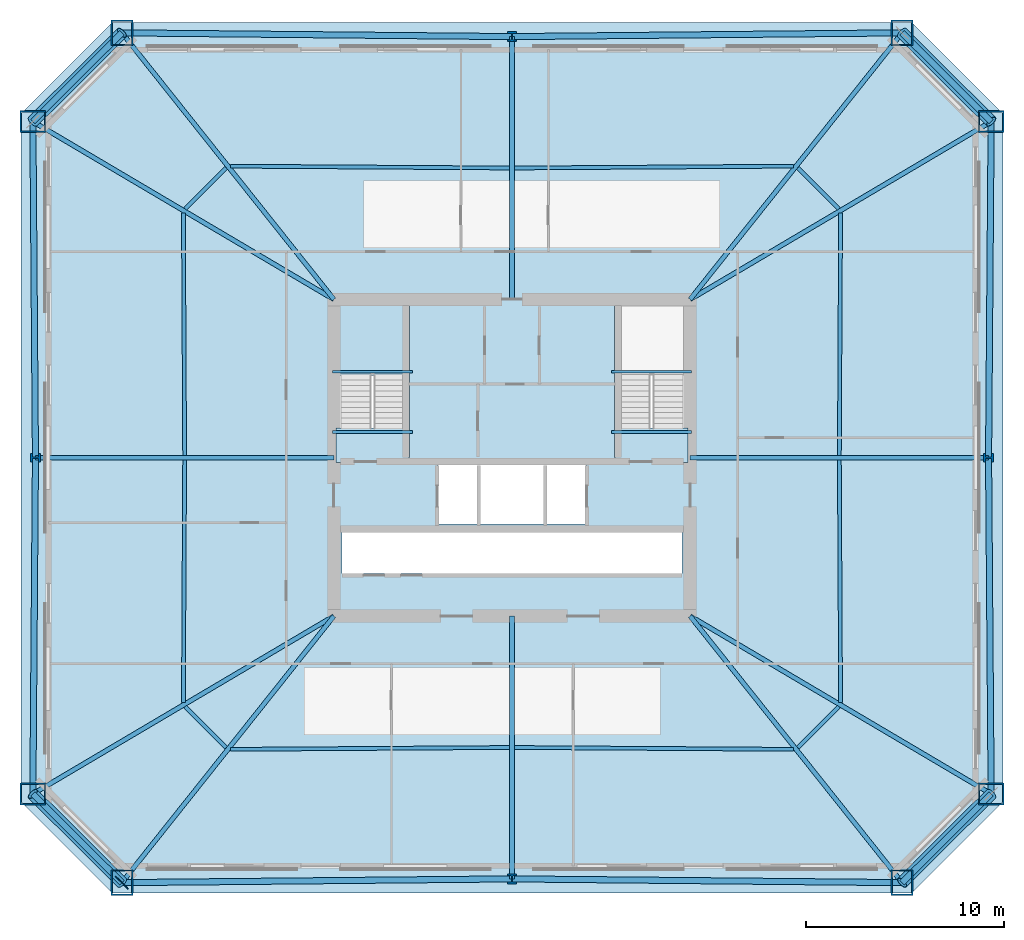
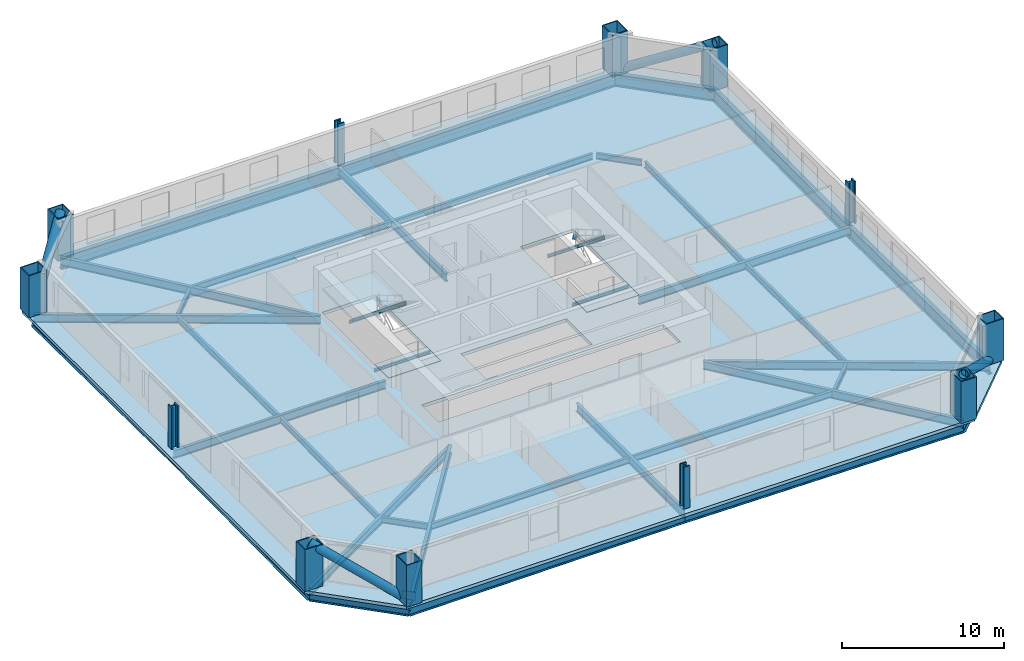
# One storey, part 1 of 7: 40 beams, 12 columns, 4 members, 4 slabs, 1 plate, 2 elements without a shape of their own.
"""IFC4 building model written with IfcOpenShell, lengths in metres."""

from ifc_helpers import new_model, si_unit, direction, frame, origin, origin_2d, place, context, subcontext, project, spatial, polyline, rectangle, hollow_rectangle, hollow_circle, i_section, outline, extrude, material, layer, layer_set, material_profile, profile_set, type_object, element, aggregate, save


model = new_model("IFC4")

# Units and contexts
model_context = context("Model", 3, precision=1e-05, world=origin(), true_north=direction((0.0, 1.0)))
body_context = subcontext(model_context, "Body", "Model", "MODEL_VIEW")
ifc_project = project(units=[si_unit("LENGTHUNIT", "METRE"), si_unit("AREAUNIT", "SQUARE_METRE"), si_unit("VOLUMEUNIT", "CUBIC_METRE"), si_unit("PLANEANGLEUNIT", "RADIAN"), si_unit("MASSUNIT", "GRAM", prefix="KILO")], contexts=[model_context])

# Site, building, storey
site_placement = place(None, origin())
site = spatial("IfcSite", under=ifc_project, at=site_placement, CompositionType="ELEMENT")
building_placement = place(site_placement, origin())
building = spatial("IfcBuilding", under=site, at=building_placement, Name="Caelvoria Tower", CompositionType="ELEMENT")
storey_placement = place(building_placement, frame((0.0, 0.0, 31.60009765625)))
storey = spatial("IfcBuildingStorey", under=building, at=storey_placement, Name="L07", CompositionType="ELEMENT", Elevation=31.60009765625)

# Columns
ifc_material_1 = material(Name="Structural Steel ASTM A913 Gr.65", Category="steel")
ifc_material_profile_1 = material_profile(ifc_material_1, i_section(OverallWidth=0.43896484375, OverallDepth=0.513916015625, WebThickness=0.059814453125, FlangeThickness=0.096923828125, FilletRadius=0.02490234375, at=origin_2d()), Name="Structural Steel ASTM A913 Gr.65")
ifc_profile_set_1 = profile_set([ifc_material_profile_1], Name="W360X818 - Structural Steel ASTM A913 Gr.65")
column_type_1 = type_object("IfcColumnType", Name="Heavy Frame Column W360X818", PredefinedType="COLUMN", material=ifc_profile_set_1)
for number, where, z_axis, x_axis, name in (
    (1, (46.0, 10.719970703125, 0.0), (0.0, 0.0, 1.0), (1.0, 0.0, 0.0), "Perimeter Megaframe Column L07-P01"),
    (2, (70.080078125, 32.0, 0.0), (0.0, 0.0, 1.0), (0.0, 1.0, 0.0), "Perimeter Megaframe Column L07-P04"),
    (3, (46.0, 53.280029296875, 0.0), (0.0, 0.0, 1.0), (1.0, 0.0, 0.0), "Perimeter Megaframe Column L07-P07"),
    (4, (21.919921875, 32.0, 0.0), (0.0, 0.0, 1.0), (0.0, 1.0, 0.0), "Perimeter Megaframe Column L07-P10"),
):
    element("IfcColumn", number, at=place(storey_placement, frame(where, z_axis=z_axis, x_axis=x_axis)), inside=storey, type_object=column_type_1, Name=name, PredefinedType="COLUMN", context=body_context, shape_type="SweptSolid", body=[
        extrude(i_section(OverallWidth=0.43896484375, OverallDepth=0.513916015625, WebThickness=0.059814453125, FlangeThickness=0.096923828125, FilletRadius=0.02490234375, at=origin_2d()), origin(), (0.0, 0.0, 1.0), 3.14794921875),
    ])
ifc_material_2 = material(Name="Structural Steel ASTM A572 Gr.50", Category="steel")
ifc_material_profile_2 = material_profile(ifc_material_2, hollow_rectangle(XDim=1.10009765625, YDim=1.300048828125, WallThickness=0.070068359375, at=origin_2d()), Name="Structural Steel ASTM A572 Gr.50")
ifc_profile_set_2 = profile_set([ifc_material_profile_2], Name="BOX1300X1100X70 - Structural Steel ASTM A572 Gr.50")
column_type_2 = type_object("IfcColumnType", Name="Mega Box Column 1300x1100x70", PredefinedType="COLUMN", material=ifc_profile_set_2)
for number, where, z_axis, x_axis, name in (
    (5, (26.287109375, 10.530517578125, 0.0), (0.0, 0.0, 1.0), (1.0, 0.0, 0.0), "Perimeter Megaframe Column L07-P00"),
    (6, (65.712890625, 10.530517578125, 0.0), (0.0, 0.0, 1.0), (1.0, 0.0, 0.0), "Perimeter Megaframe Column L07-P02"),
    (7, (70.210693359375, 15.013427734375, 0.0), (0.0, 0.0, 1.0), (0.0, 1.0, 0.0), "Perimeter Megaframe Column L07-P03"),
    (8, (70.210693359375, 48.986572265625, 0.0), (0.0, 0.0, 1.0), (0.0, 1.0, 0.0), "Perimeter Megaframe Column L07-P05"),
    (9, (65.712890625, 53.469482421875, 0.0), (0.0, 0.0, 1.0), (1.0, 0.0, 0.0), "Perimeter Megaframe Column L07-P06"),
    (10, (26.287109375, 53.469482421875, 0.0), (0.0, 0.0, 1.0), (1.0, 0.0, 0.0), "Perimeter Megaframe Column L07-P08"),
    (11, (21.789306640625, 48.986572265625, 0.0), (0.0, 0.0, 1.0), (0.0, 1.0, 0.0), "Perimeter Megaframe Column L07-P09"),
    (12, (21.789306640625, 15.013427734375, 0.0), (0.0, 0.0, 1.0), (0.0, 1.0, 0.0), "Perimeter Megaframe Column L07-P11"),
):
    element("IfcColumn", number, at=place(storey_placement, frame(where, z_axis=z_axis, x_axis=x_axis)), inside=storey, type_object=column_type_2, Name=name, PredefinedType="COLUMN", context=body_context, shape_type="SweptSolid", body=[
        extrude(hollow_rectangle(XDim=1.10009765625, YDim=1.300048828125, WallThickness=0.070068359375, at=origin_2d()), origin(), (0.0, 0.0, 1.0), 3.14794921875),
    ])

# Beams
ifc_material_3 = material(Name="Structural Steel ASTM A992 Gr.50", Category="steel")
ifc_material_profile_3 = material_profile(ifc_material_3, i_section(OverallWidth=0.134033203125, OverallDepth=0.2099609375, WebThickness=0.00634765625, FlangeThickness=0.01025390625, FilletRadius=0.010009765625, at=origin_2d()), Name="Structural Steel ASTM A992 Gr.50")
ifc_profile_set_3 = profile_set([ifc_material_profile_3], Name="W200X31.3 - Structural Steel ASTM A992 Gr.50")
beam_type_1 = type_object("IfcBeamType", Name="Canopy Edge Trim Beam W200X31.3", PredefinedType="BEAM", material=ifc_profile_set_3)
for number, where, z_axis, x_axis, name in (
    (13, (36.929931640625, 36.35009765625, 1.494873046875), (1.0, 0.0, 0.0), (0.0, 1.0, 0.0), "ST-01 Half-Landing Support Beam L07"),
    (14, (36.929931640625, 33.300048828125, -0.30517578125), (1.0, 0.0, 0.0), (0.0, 1.0, 0.0), "ST-01 Floor-Landing Support Beam L07"),
    (15, (51.030029296875, 36.35009765625, 1.494873046875), (1.0, 0.0, 0.0), (0.0, 1.0, 0.0), "ST-02 Half-Landing Support Beam L07"),
    (16, (51.030029296875, 33.300048828125, -0.30517578125), (1.0, 0.0, 0.0), (0.0, 1.0, 0.0), "ST-02 Floor-Landing Support Beam L07"),
):
    element("IfcBeam", number, at=place(storey_placement, frame(where, z_axis=z_axis, x_axis=x_axis)), inside=storey, type_object=beam_type_1, Name=name, PredefinedType="BEAM", context=body_context, shape_type="SweptSolid", body=[
        extrude(i_section(OverallWidth=0.134033203125, OverallDepth=0.2099609375, WebThickness=0.00634765625, FlangeThickness=0.01025390625, FilletRadius=0.010009765625, at=origin_2d()), origin(), (0.0, 0.0, 1.0), 4.0400390625),
    ])

# Members
ifc_material_profile_4 = material_profile(ifc_material_2, hollow_circle(Radius=0.304931640625, WallThickness=0.02490234375, at=origin_2d()), Name="Structural Steel ASTM A572 Gr.50")
ifc_profile_set_4 = profile_set([ifc_material_profile_4], Name="CHS610X25 - Structural Steel ASTM A572 Gr.50")
member_type = type_object("IfcMemberType", Name="Lower Perimeter Mega Brace CHS610X25", PredefinedType="BRACE", material=ifc_profile_set_4)
for number, where, z_axis, x_axis, name in (
    (17, (70.210693359375, 15.013427734375, 0.0), (-0.634509941582, -0.632409029329, 0.444360162096), (0.705933226257, -0.708278391642, 0.0), "Perimeter Chamfer Mega Brace L07 SE"),
    (18, (65.712890625, 53.469482421875, 0.0), (0.634509941582, -0.632409029329, 0.444360162096), (0.705933226257, 0.708278391642, 0.0), "Perimeter Chamfer Mega Brace L07 NE"),
    (19, (21.789306640625, 48.986572265625, 0.0), (0.634509941582, 0.632409029329, 0.444360162096), (-0.705933226257, 0.708278391642, 0.0), "Perimeter Chamfer Mega Brace L07 NW"),
    (20, (26.287109375, 10.530517578125, 0.0), (-0.634509941582, 0.632409029329, 0.444360162096), (-0.705933226257, -0.708278391642, 0.0), "Perimeter Chamfer Mega Brace L07 SW"),
):
    element("IfcMember", number, at=place(storey_placement, frame(where, z_axis=z_axis, x_axis=x_axis)), inside=storey, type_object=member_type, Name=name, PredefinedType="BRACE", context=body_context, shape_type="SweptSolid", body=[
        extrude(hollow_circle(Radius=0.304931640625, WallThickness=0.02490234375, at=origin_2d()), origin(), (0.0, 0.0, 1.0), 7.088623046875),
    ])

# Beams
ifc_material_profile_5 = material_profile(ifc_material_3, i_section(OverallWidth=0.30810546875, OverallDepth=0.927001953125, WebThickness=0.019287109375, FlangeThickness=0.031982421875, FilletRadius=0.02392578125, at=origin_2d()), Name="Structural Steel ASTM A992 Gr.50")
ifc_profile_set_5 = profile_set([ifc_material_profile_5], Name="W920X289 - Structural Steel ASTM A992 Gr.50")
beam_type_2 = type_object("IfcBeamType", Name="Outrigger Tie Girder W920X289", PredefinedType="BEAM", material=ifc_profile_set_5)
for number, where, z_axis, x_axis, name in (
    (21, (26.287109375, 10.530517578125, -0.70361328125), (0.999953821179, 0.009610177415, 0.0), (-0.009610177415, 0.999953821179, 0.0), "Perimeter Spandrel Girder L07-00"),
    (22, (46.0, 10.719970703125, -0.70361328125), (0.999953821179, -0.009610177415, 0.0), (0.009610177415, 0.999953821179, 0.0), "Perimeter Spandrel Girder L07-01"),
):
    element("IfcBeam", number, at=place(storey_placement, frame(where, z_axis=z_axis, x_axis=x_axis)), inside=storey, type_object=beam_type_2, Name=name, PredefinedType="BEAM", context=body_context, shape_type="SweptSolid", body=[
        extrude(i_section(OverallWidth=0.30810546875, OverallDepth=0.927001953125, WebThickness=0.019287109375, FlangeThickness=0.031982421875, FilletRadius=0.02392578125, at=origin_2d()), origin(), (0.0, 0.0, 1.0), 19.7138671875),
    ])
beam_1_placement = place(storey_placement, frame((65.712890625, 10.530517578125, -0.70361328125), z_axis=(0.708278391642, 0.705933226257, 0.0), x_axis=(-0.705933226257, 0.708278391642, 0.0)))
element("IfcBeam", 23, at=beam_1_placement, inside=storey, type_object=beam_type_2, Name="Perimeter Spandrel Girder L07-02", PredefinedType="BEAM", context=body_context, shape_type="SweptSolid", body=[
    extrude(i_section(OverallWidth=0.30810546875, OverallDepth=0.927001953125, WebThickness=0.019287109375, FlangeThickness=0.031982421875, FilletRadius=0.02392578125, at=origin_2d()), origin(), (0.0, 0.0, 1.0), 6.350341796875),
])
for number, where, z_axis, x_axis, name in (
    (24, (70.210693359375, 15.013427734375, -0.70361328125), (-0.007689095313, 0.99997043847, 0.0), (-0.99997043847, -0.007689095313, 0.0), "Perimeter Spandrel Girder L07-03"),
    (25, (70.080078125, 32.0, -0.70361328125), (0.007689095313, 0.99997043847, 0.0), (-0.99997043847, 0.007689095313, 0.0), "Perimeter Spandrel Girder L07-04"),
):
    element("IfcBeam", number, at=place(storey_placement, frame(where, z_axis=z_axis, x_axis=x_axis)), inside=storey, type_object=beam_type_2, Name=name, PredefinedType="BEAM", context=body_context, shape_type="SweptSolid", body=[
        extrude(i_section(OverallWidth=0.30810546875, OverallDepth=0.927001953125, WebThickness=0.019287109375, FlangeThickness=0.031982421875, FilletRadius=0.02392578125, at=origin_2d()), origin(), (0.0, 0.0, 1.0), 16.987060546875),
    ])
beam_2_placement = place(storey_placement, frame((70.210693359375, 48.986572265625, -0.70361328125), z_axis=(-0.708278391642, 0.705933226257, 0.0), x_axis=(-0.705933226257, -0.708278391642, 0.0)))
element("IfcBeam", 26, at=beam_2_placement, inside=storey, type_object=beam_type_2, Name="Perimeter Spandrel Girder L07-05", PredefinedType="BEAM", context=body_context, shape_type="SweptSolid", body=[
    extrude(i_section(OverallWidth=0.30810546875, OverallDepth=0.927001953125, WebThickness=0.019287109375, FlangeThickness=0.031982421875, FilletRadius=0.02392578125, at=origin_2d()), origin(), (0.0, 0.0, 1.0), 6.350341796875),
])
for number, where, z_axis, x_axis, name in (
    (27, (65.712890625, 53.469482421875, -0.70361328125), (-0.999953821179, -0.009610177415, 0.0), (0.009610177415, -0.999953821179, 0.0), "Perimeter Spandrel Girder L07-06"),
    (28, (46.0, 53.280029296875, -0.70361328125), (-0.999953821179, 0.009610177415, 0.0), (-0.009610177415, -0.999953821179, 0.0), "Perimeter Spandrel Girder L07-07"),
):
    element("IfcBeam", number, at=place(storey_placement, frame(where, z_axis=z_axis, x_axis=x_axis)), inside=storey, type_object=beam_type_2, Name=name, PredefinedType="BEAM", context=body_context, shape_type="SweptSolid", body=[
        extrude(i_section(OverallWidth=0.30810546875, OverallDepth=0.927001953125, WebThickness=0.019287109375, FlangeThickness=0.031982421875, FilletRadius=0.02392578125, at=origin_2d()), origin(), (0.0, 0.0, 1.0), 19.7138671875),
    ])
beam_3_placement = place(storey_placement, frame((26.287109375, 53.469482421875, -0.70361328125), z_axis=(-0.708278391642, -0.705933226257, 0.0), x_axis=(0.705933226257, -0.708278391642, 0.0)))
element("IfcBeam", 29, at=beam_3_placement, inside=storey, type_object=beam_type_2, Name="Perimeter Spandrel Girder L07-08", PredefinedType="BEAM", context=body_context, shape_type="SweptSolid", body=[
    extrude(i_section(OverallWidth=0.30810546875, OverallDepth=0.927001953125, WebThickness=0.019287109375, FlangeThickness=0.031982421875, FilletRadius=0.02392578125, at=origin_2d()), origin(), (0.0, 0.0, 1.0), 6.350341796875),
])
for number, where, z_axis, x_axis, name in (
    (30, (21.789306640625, 48.986572265625, -0.70361328125), (0.007689095313, -0.99997043847, 0.0), (0.99997043847, 0.007689095313, 0.0), "Perimeter Spandrel Girder L07-09"),
    (31, (21.919921875, 32.0, -0.70361328125), (-0.007689095313, -0.99997043847, 0.0), (0.99997043847, -0.007689095313, 0.0), "Perimeter Spandrel Girder L07-10"),
):
    element("IfcBeam", number, at=place(storey_placement, frame(where, z_axis=z_axis, x_axis=x_axis)), inside=storey, type_object=beam_type_2, Name=name, PredefinedType="BEAM", context=body_context, shape_type="SweptSolid", body=[
        extrude(i_section(OverallWidth=0.30810546875, OverallDepth=0.927001953125, WebThickness=0.019287109375, FlangeThickness=0.031982421875, FilletRadius=0.02392578125, at=origin_2d()), origin(), (0.0, 0.0, 1.0), 16.987060546875),
    ])
beam_4_placement = place(storey_placement, frame((21.789306640625, 15.013427734375, -0.70361328125), z_axis=(0.708278391642, -0.705933226257, 0.0), x_axis=(0.705933226257, 0.708278391642, 0.0)))
element("IfcBeam", 32, at=beam_4_placement, inside=storey, type_object=beam_type_2, Name="Perimeter Spandrel Girder L07-11", PredefinedType="BEAM", context=body_context, shape_type="SweptSolid", body=[
    extrude(i_section(OverallWidth=0.30810546875, OverallDepth=0.927001953125, WebThickness=0.019287109375, FlangeThickness=0.031982421875, FilletRadius=0.02392578125, at=origin_2d()), origin(), (0.0, 0.0, 1.0), 6.350341796875),
])
ifc_material_profile_6 = material_profile(ifc_material_3, i_section(OverallWidth=0.22900390625, OverallDepth=0.612060546875, WebThickness=0.011962890625, FlangeThickness=0.01953125, FilletRadius=0.01806640625, at=origin_2d()), Name="Structural Steel ASTM A992 Gr.50")
ifc_profile_set_6 = profile_set([ifc_material_profile_6], Name="W610X125 - Structural Steel ASTM A992 Gr.50")
beam_type_3 = type_object("IfcBeamType", Name="Primary Radial Floor Girder W610X125", PredefinedType="BEAM", material=ifc_profile_set_6)
beam_5_placement = place(storey_placement, frame((37.0, 24.0, -0.546142578125), z_axis=(-0.622471237323, -0.782642676261, 0.0), x_axis=(0.782642676261, -0.622471237323, 0.0)))
element("IfcBeam", 33, at=beam_5_placement, inside=storey, type_object=beam_type_3, Name="Primary Floor Girder L07-00", PredefinedType="BEAM", context=body_context, shape_type="SweptSolid", body=[
    extrude(i_section(OverallWidth=0.22900390625, OverallDepth=0.612060546875, WebThickness=0.011962890625, FlangeThickness=0.01953125, FilletRadius=0.01806640625, at=origin_2d()), origin(), (0.0, 0.0, 1.0), 17.210205078125),
])
beam_6_placement = place(storey_placement, frame((46.0, 24.0, -0.546142578125), z_axis=(0.0, -1.0, 0.0), x_axis=(1.0, 0.0, 0.0)))
element("IfcBeam", 34, at=beam_6_placement, inside=storey, type_object=beam_type_3, Name="Primary Floor Girder L07-01", PredefinedType="BEAM", context=body_context, shape_type="SweptSolid", body=[
    extrude(i_section(OverallWidth=0.22900390625, OverallDepth=0.612060546875, WebThickness=0.011962890625, FlangeThickness=0.01953125, FilletRadius=0.01806640625, at=origin_2d()), origin(), (0.0, 0.0, 1.0), 13.280029296875),
])
beam_7_placement = place(storey_placement, frame((55.0, 24.0, -0.546142578125), z_axis=(0.622471237323, -0.782642676261, 0.0), x_axis=(0.782642676261, 0.622471237323, 0.0)))
element("IfcBeam", 35, at=beam_7_placement, inside=storey, type_object=beam_type_3, Name="Primary Floor Girder L07-02", PredefinedType="BEAM", context=body_context, shape_type="SweptSolid", body=[
    extrude(i_section(OverallWidth=0.22900390625, OverallDepth=0.612060546875, WebThickness=0.011962890625, FlangeThickness=0.01953125, FilletRadius=0.01806640625, at=origin_2d()), origin(), (0.0, 0.0, 1.0), 17.210205078125),
])
beam_8_placement = place(storey_placement, frame((55.0, 24.0, -0.546142578125), z_axis=(0.860965316265, -0.508663665095, 0.0), x_axis=(0.508663665095, 0.860965316265, 0.0)))
element("IfcBeam", 36, at=beam_8_placement, inside=storey, type_object=beam_type_3, Name="Primary Floor Girder L07-03", PredefinedType="BEAM", context=body_context, shape_type="SweptSolid", body=[
    extrude(i_section(OverallWidth=0.22900390625, OverallDepth=0.612060546875, WebThickness=0.011962890625, FlangeThickness=0.01953125, FilletRadius=0.01806640625, at=origin_2d()), origin(), (0.0, 0.0, 1.0), 17.6669921875),
])
beam_9_placement = place(storey_placement, frame((55.0, 32.0, -0.546142578125), z_axis=(1.0, 0.0, 0.0), x_axis=(0.0, 1.0, 0.0)))
element("IfcBeam", 37, at=beam_9_placement, inside=storey, type_object=beam_type_3, Name="Primary Floor Girder L07-04", PredefinedType="BEAM", context=body_context, shape_type="SweptSolid", body=[
    extrude(i_section(OverallWidth=0.22900390625, OverallDepth=0.612060546875, WebThickness=0.011962890625, FlangeThickness=0.01953125, FilletRadius=0.01806640625, at=origin_2d()), origin(), (0.0, 0.0, 1.0), 15.080078125),
])
beam_10_placement = place(storey_placement, frame((55.0, 40.0, -0.546142578125), z_axis=(0.860965316265, 0.508663665095, 0.0), x_axis=(-0.508663665095, 0.860965316265, 0.0)))
element("IfcBeam", 38, at=beam_10_placement, inside=storey, type_object=beam_type_3, Name="Primary Floor Girder L07-05", PredefinedType="BEAM", context=body_context, shape_type="SweptSolid", body=[
    extrude(i_section(OverallWidth=0.22900390625, OverallDepth=0.612060546875, WebThickness=0.011962890625, FlangeThickness=0.01953125, FilletRadius=0.01806640625, at=origin_2d()), origin(), (0.0, 0.0, 1.0), 17.6669921875),
])
beam_11_placement = place(storey_placement, frame((55.0, 40.0, -0.546142578125), z_axis=(0.622471237323, 0.782642676261, 0.0), x_axis=(-0.782642676261, 0.622471237323, 0.0)))
element("IfcBeam", 39, at=beam_11_placement, inside=storey, type_object=beam_type_3, Name="Primary Floor Girder L07-06", PredefinedType="BEAM", context=body_context, shape_type="SweptSolid", body=[
    extrude(i_section(OverallWidth=0.22900390625, OverallDepth=0.612060546875, WebThickness=0.011962890625, FlangeThickness=0.01953125, FilletRadius=0.01806640625, at=origin_2d()), origin(), (0.0, 0.0, 1.0), 17.210205078125),
])
beam_12_placement = place(storey_placement, frame((46.0, 40.0, -0.546142578125), z_axis=(0.0, 1.0, 0.0), x_axis=(-1.0, 0.0, 0.0)))
element("IfcBeam", 40, at=beam_12_placement, inside=storey, type_object=beam_type_3, Name="Primary Floor Girder L07-07", PredefinedType="BEAM", context=body_context, shape_type="SweptSolid", body=[
    extrude(i_section(OverallWidth=0.22900390625, OverallDepth=0.612060546875, WebThickness=0.011962890625, FlangeThickness=0.01953125, FilletRadius=0.01806640625, at=origin_2d()), origin(), (0.0, 0.0, 1.0), 13.280029296875),
])
beam_13_placement = place(storey_placement, frame((37.0, 40.0, -0.546142578125), z_axis=(-0.622471237323, 0.782642676261, 0.0), x_axis=(-0.782642676261, -0.622471237323, 0.0)))
element("IfcBeam", 41, at=beam_13_placement, inside=storey, type_object=beam_type_3, Name="Primary Floor Girder L07-08", PredefinedType="BEAM", context=body_context, shape_type="SweptSolid", body=[
    extrude(i_section(OverallWidth=0.22900390625, OverallDepth=0.612060546875, WebThickness=0.011962890625, FlangeThickness=0.01953125, FilletRadius=0.01806640625, at=origin_2d()), origin(), (0.0, 0.0, 1.0), 17.210205078125),
])
beam_14_placement = place(storey_placement, frame((37.0, 40.0, -0.546142578125), z_axis=(-0.860965316265, 0.508663665095, 0.0), x_axis=(-0.508663665095, -0.860965316265, 0.0)))
element("IfcBeam", 42, at=beam_14_placement, inside=storey, type_object=beam_type_3, Name="Primary Floor Girder L07-09", PredefinedType="BEAM", context=body_context, shape_type="SweptSolid", body=[
    extrude(i_section(OverallWidth=0.22900390625, OverallDepth=0.612060546875, WebThickness=0.011962890625, FlangeThickness=0.01953125, FilletRadius=0.01806640625, at=origin_2d()), origin(), (0.0, 0.0, 1.0), 17.6669921875),
])
beam_15_placement = place(storey_placement, frame((37.0, 32.0, -0.546142578125), z_axis=(-1.0, 0.0, 0.0), x_axis=(0.0, -1.0, 0.0)))
element("IfcBeam", 43, at=beam_15_placement, inside=storey, type_object=beam_type_3, Name="Primary Floor Girder L07-10", PredefinedType="BEAM", context=body_context, shape_type="SweptSolid", body=[
    extrude(i_section(OverallWidth=0.22900390625, OverallDepth=0.612060546875, WebThickness=0.011962890625, FlangeThickness=0.01953125, FilletRadius=0.01806640625, at=origin_2d()), origin(), (0.0, 0.0, 1.0), 15.080078125),
])
beam_16_placement = place(storey_placement, frame((37.0, 24.0, -0.546142578125), z_axis=(-0.860965316265, -0.508663665095, 0.0), x_axis=(0.508663665095, -0.860965316265, 0.0)))
element("IfcBeam", 44, at=beam_16_placement, inside=storey, type_object=beam_type_3, Name="Primary Floor Girder L07-11", PredefinedType="BEAM", context=body_context, shape_type="SweptSolid", body=[
    extrude(i_section(OverallWidth=0.22900390625, OverallDepth=0.612060546875, WebThickness=0.011962890625, FlangeThickness=0.01953125, FilletRadius=0.01806640625, at=origin_2d()), origin(), (0.0, 0.0, 1.0), 17.6669921875),
])
ifc_material_profile_7 = material_profile(ifc_material_3, i_section(OverallWidth=0.18994140625, OverallDepth=0.45703125, WebThickness=0.009033203125, FlangeThickness=0.014404296875, FilletRadius=0.014892578125, at=origin_2d()), Name="Structural Steel ASTM A992 Gr.50")
ifc_profile_set_7 = profile_set([ifc_material_profile_7], Name="W460X74 - Structural Steel ASTM A992 Gr.50")
beam_type_4 = type_object("IfcBeamType", Name="Secondary Floor Beam W460X74", PredefinedType="BEAM", material=ifc_profile_set_7)
for number, where, z_axis, x_axis, name in (
    (45, (31.7685546875, 17.26611328125, -0.468505859375), (0.999978260442, 0.006593833805, 0.0), (-0.006593833805, 0.999978260442, 0.0), "Secondary Floor Beam L07-00"),
    (46, (46.125, 17.359130859375, -0.468505859375), (0.999978260442, -0.006593833805, 0.0), (0.006593833805, 0.999978260442, 0.0), "Secondary Floor Beam L07-01"),
):
    element("IfcBeam", number, at=place(storey_placement, frame(where, z_axis=z_axis, x_axis=x_axis)), inside=storey, type_object=beam_type_4, Name=name, PredefinedType="BEAM", context=body_context, shape_type="SweptSolid", body=[
        extrude(i_section(OverallWidth=0.18994140625, OverallDepth=0.45703125, WebThickness=0.009033203125, FlangeThickness=0.014404296875, FilletRadius=0.014892578125, at=origin_2d()), origin(), (0.0, 0.0, 1.0), 14.106689453125),
    ])
beam_17_placement = place(storey_placement, frame((60.445068359375, 17.353515625, -0.468505859375), z_axis=(0.708232579267, 0.705979187841, 0.0), x_axis=(-0.705979187841, 0.708232579267, 0.0)))
element("IfcBeam", 47, at=beam_17_placement, inside=storey, type_object=beam_type_4, Name="Secondary Floor Beam L07-02", PredefinedType="BEAM", context=body_context, shape_type="SweptSolid", body=[
    extrude(i_section(OverallWidth=0.18994140625, OverallDepth=0.45703125, WebThickness=0.009033203125, FlangeThickness=0.014404296875, FilletRadius=0.014892578125, at=origin_2d()), origin(), (0.0, 0.0, 1.0), 2.92529296875),
])
beam_18_placement = place(storey_placement, frame((62.6044921875, 19.6318359375, -0.468505859375), z_axis=(-0.005204523911, 0.999986456374, 0.0), x_axis=(-0.999986456374, -0.005204523911, 0.0)))
element("IfcBeam", 48, at=beam_18_placement, inside=storey, type_object=beam_type_4, Name="Secondary Floor Beam L07-03", PredefinedType="BEAM", context=body_context, shape_type="SweptSolid", body=[
    extrude(i_section(OverallWidth=0.18994140625, OverallDepth=0.45703125, WebThickness=0.009033203125, FlangeThickness=0.014404296875, FilletRadius=0.014892578125, at=origin_2d()), origin(), (0.0, 0.0, 1.0), 12.243408203125),
])
beam_19_placement = place(storey_placement, frame((62.540771484375, 32.125, -0.468505859375), z_axis=(0.005204420133, 0.999986456914, 0.0), x_axis=(-0.999986456914, 0.005204420133, 0.0)))
element("IfcBeam", 49, at=beam_19_placement, inside=storey, type_object=beam_type_4, Name="Secondary Floor Beam L07-04", PredefinedType="BEAM", context=body_context, shape_type="SweptSolid", body=[
    extrude(i_section(OverallWidth=0.18994140625, OverallDepth=0.45703125, WebThickness=0.009033203125, FlangeThickness=0.014404296875, FilletRadius=0.014892578125, at=origin_2d()), origin(), (0.0, 0.0, 1.0), 12.24365234375),
])
beam_20_placement = place(storey_placement, frame((62.516845703125, 44.58154296875, -0.468505859375), z_axis=(-0.708274309747, 0.705937321688, 0.0), x_axis=(-0.705937321688, -0.708274309747, 0.0)))
element("IfcBeam", 50, at=beam_20_placement, inside=storey, type_object=beam_type_4, Name="Secondary Floor Beam L07-05", PredefinedType="BEAM", context=body_context, shape_type="SweptSolid", body=[
    extrude(i_section(OverallWidth=0.18994140625, OverallDepth=0.45703125, WebThickness=0.009033203125, FlangeThickness=0.014404296875, FilletRadius=0.014892578125, at=origin_2d()), origin(), (0.0, 0.0, 1.0), 2.925048828125),
])
for number, where, z_axis, x_axis, name in (
    (51, (60.2314453125, 46.73388671875, -0.468505859375), (-0.999978260442, -0.006593833805, 0.0), (0.006593833805, -0.999978260442, 0.0), "Secondary Floor Beam L07-06"),
    (52, (45.875, 46.640869140625, -0.468505859375), (-0.999978260442, 0.006593833805, 0.0), (-0.006593833805, -0.999978260442, 0.0), "Secondary Floor Beam L07-07"),
):
    element("IfcBeam", number, at=place(storey_placement, frame(where, z_axis=z_axis, x_axis=x_axis)), inside=storey, type_object=beam_type_4, Name=name, PredefinedType="BEAM", context=body_context, shape_type="SweptSolid", body=[
        extrude(i_section(OverallWidth=0.18994140625, OverallDepth=0.45703125, WebThickness=0.009033203125, FlangeThickness=0.014404296875, FilletRadius=0.014892578125, at=origin_2d()), origin(), (0.0, 0.0, 1.0), 14.106689453125),
    ])
beam_21_placement = place(storey_placement, frame((31.554931640625, 46.646484375, -0.468505859375), z_axis=(-0.708274309747, -0.705937321688, 0.0), x_axis=(0.705937321688, -0.708274309747, 0.0)))
element("IfcBeam", 53, at=beam_21_placement, inside=storey, type_object=beam_type_4, Name="Secondary Floor Beam L07-08", PredefinedType="BEAM", context=body_context, shape_type="SweptSolid", body=[
    extrude(i_section(OverallWidth=0.18994140625, OverallDepth=0.45703125, WebThickness=0.009033203125, FlangeThickness=0.014404296875, FilletRadius=0.014892578125, at=origin_2d()), origin(), (0.0, 0.0, 1.0), 2.925048828125),
])
beam_22_placement = place(storey_placement, frame((29.3955078125, 44.368408203125, -0.468505859375), z_axis=(0.005204420133, -0.999986456914, 0.0), x_axis=(0.999986456914, 0.005204420133, 0.0)))
element("IfcBeam", 54, at=beam_22_placement, inside=storey, type_object=beam_type_4, Name="Secondary Floor Beam L07-09", PredefinedType="BEAM", context=body_context, shape_type="SweptSolid", body=[
    extrude(i_section(OverallWidth=0.18994140625, OverallDepth=0.45703125, WebThickness=0.009033203125, FlangeThickness=0.014404296875, FilletRadius=0.014892578125, at=origin_2d()), origin(), (0.0, 0.0, 1.0), 12.24365234375),
])
beam_23_placement = place(storey_placement, frame((29.459228515625, 31.875, -0.468505859375), z_axis=(-0.005204523911, -0.999986456374, 0.0), x_axis=(0.999986456374, -0.005204523911, 0.0)))
element("IfcBeam", 55, at=beam_23_placement, inside=storey, type_object=beam_type_4, Name="Secondary Floor Beam L07-10", PredefinedType="BEAM", context=body_context, shape_type="SweptSolid", body=[
    extrude(i_section(OverallWidth=0.18994140625, OverallDepth=0.45703125, WebThickness=0.009033203125, FlangeThickness=0.014404296875, FilletRadius=0.014892578125, at=origin_2d()), origin(), (0.0, 0.0, 1.0), 12.243408203125),
])
beam_24_placement = place(storey_placement, frame((29.483154296875, 19.418701171875, -0.468505859375), z_axis=(0.708232579267, -0.705979187841, 0.0), x_axis=(0.705979187841, 0.708232579267, 0.0)))
element("IfcBeam", 56, at=beam_24_placement, inside=storey, type_object=beam_type_4, Name="Secondary Floor Beam L07-11", PredefinedType="BEAM", context=body_context, shape_type="SweptSolid", body=[
    extrude(i_section(OverallWidth=0.18994140625, OverallDepth=0.45703125, WebThickness=0.009033203125, FlangeThickness=0.014404296875, FilletRadius=0.014892578125, at=origin_2d()), origin(), (0.0, 0.0, 1.0), 2.92529296875),
])

# Plate
ifc_layer_1 = layer(ifc_material_2, 0.0400390625, Name="Structural Steel ASTM A572 Gr.50")
ifc_layer_set_1 = layer_set([ifc_layer_1], Name="Megaframe Node Gusset Plate 900x600x40 - Structural Steel ASTM A572 Gr.50")
plate_type = type_object("IfcPlateType", Name="Megaframe Node Gusset Plate 900x600x40", PredefinedType="USERDEFINED", material=ifc_layer_set_1)
plate_placement = place(storey_placement, frame((26.287109375, 10.530517578125, 0.019775390625), z_axis=(0.0, 0.0, 1.0), x_axis=(-0.708247433284, 0.705964286099, 0.0)))
element("IfcPlate", 57, at=plate_placement, inside=storey, type_object=plate_type, Name="Chamfer Mega Brace Gusset L07 SW", ObjectType="GUSSET_PLATE", PredefinedType="USERDEFINED", context=body_context, shape_type="SweptSolid", body=[
    extrude(rectangle(XDim=0.89990234375, YDim=0.0400390625, at=origin_2d()), origin(), (0.0, 0.0, 1.0), 0.60009765625),
])

# Stair, slabs
ifc_material_4 = material(Name="Concrete C40/50", Category="concrete")
stair_type = type_object("IfcStairType", Name="Core Smokeproof Dogleg Stair Concrete C40/50", PredefinedType="HALF_TURN_STAIR", material=ifc_material_4)
stair_1_placement = place(storey_placement, origin())
stair_1 = element("IfcStair", 58, at=stair_1_placement, inside=storey, type_object=stair_type, Name="ST-01 Smokeproof Exit Stair L07", PredefinedType="HALF_TURN_STAIR")
ifc_layer_2 = layer(ifc_material_4, 0.199951171875, Name="Concrete C40/50")
ifc_layer_set_2 = layer_set([ifc_layer_2], Name="Stair Half and Floor Landing Slab 200 Concrete C40/50 - Concrete C40/50")
slab_type_1 = type_object("IfcSlabType", Name="Stair Half and Floor Landing Slab 200 Concrete C40/50", PredefinedType="LANDING", material=ifc_layer_set_2)
slab_1_placement = place(storey_placement, frame((0.0, 0.0, -0.2001953125)))
slab_1 = element("IfcSlab", 59, at=slab_1_placement, type_object=slab_type_1, Name="ST-01 landing 1", PredefinedType="LANDING", context=body_context, shape_type="SweptSolid", body=[
    extrude(outline(polyline([(37.10009765625, 31.77001953125), (40.800048828125, 31.77001953125), (40.800048828125, 33.5), (37.10009765625, 33.5), (37.10009765625, 31.77001953125)])), origin(), (0.0, 0.0, 1.0), 0.2001953125),
])
slab_2_placement = place(storey_placement, frame((0.0, 0.0, 1.599853515625)))
slab_2 = element("IfcSlab", 60, at=slab_2_placement, type_object=slab_type_1, Name="ST-01 landing 2", PredefinedType="LANDING", context=body_context, shape_type="SweptSolid", body=[
    extrude(outline(polyline([(37.10009765625, 36.14990234375), (40.800048828125, 36.14990234375), (40.800048828125, 39.89990234375), (37.10009765625, 39.89990234375), (37.10009765625, 36.14990234375)])), origin(), (0.0, 0.0, 1.0), 0.199951171875),
])
aggregate(stair_1, [slab_1, slab_2])

# Stair, slab
stair_2_placement = place(storey_placement, origin())
stair_2 = element("IfcStair", 61, at=stair_2_placement, inside=storey, type_object=stair_type, Name="ST-02 Smokeproof Exit Stair L07", PredefinedType="HALF_TURN_STAIR")
slab_3_placement = place(storey_placement, frame((0.0, 0.0, -0.2001953125)))
slab_3 = element("IfcSlab", 62, at=slab_3_placement, type_object=slab_type_1, Name="ST-02 landing 1", PredefinedType="LANDING", context=body_context, shape_type="SweptSolid", body=[
    extrude(outline(polyline([(51.199951171875, 31.77001953125), (54.89990234375, 31.77001953125), (54.89990234375, 33.5), (51.199951171875, 33.5), (51.199951171875, 31.77001953125)])), origin(), (0.0, 0.0, 1.0), 0.2001953125),
])
aggregate(stair_2, [slab_3])

# Slab
ifc_layer_3 = layer(ifc_material_4, 0.239990234375, Name="Concrete C40/50")
ifc_layer_set_3 = layer_set([ifc_layer_3], Name="Tower Composite Office Slab 240 - Concrete C40/50")
slab_type_2 = type_object("IfcSlabType", Name="Tower Composite Office Slab 240", PredefinedType="FLOOR", material=ifc_layer_set_3)
slab_4_placement = place(storey_placement, frame((0.0, 0.0, -0.239990234375)))
element("IfcSlab", 63, at=slab_4_placement, inside=storey, type_object=slab_type_2, Name="Level L07 Structural Floor Slab", PredefinedType="FLOOR", context=body_context, shape_type="SweptSolid", body=[
    extrude(outline(polyline([(25.800048828125, 10.0), (66.199951171875, 10.0), (70.800048828125, 14.60009765625), (70.800048828125, 49.39990234375), (66.199951171875, 54.0), (25.800048828125, 54.0), (21.199951171875, 49.39990234375), (21.199951171875, 14.60009765625), (25.800048828125, 10.0)]), holes=[polyline([(37.080078125, 31.75), (40.820068359375, 31.75), (40.820068359375, 39.919921875), (37.080078125, 39.919921875), (37.080078125, 31.75)]), polyline([(51.179931640625, 31.75), (54.919921875, 31.75), (54.919921875, 39.919921875), (51.179931640625, 39.919921875), (51.179931640625, 31.75)]), polyline([(42.25, 28.64990234375), (49.75, 28.64990234375), (49.75, 31.800048828125), (42.25, 31.800048828125), (42.25, 28.64990234375)]), polyline([(37.39990234375, 26.14990234375), (54.60009765625, 26.14990234375), (54.60009765625, 28.25), (37.39990234375, 28.25), (37.39990234375, 26.14990234375)])]), origin(), (0.0, 0.0, 1.0), 0.239990234375),
])

save(model, "model.ifc")
